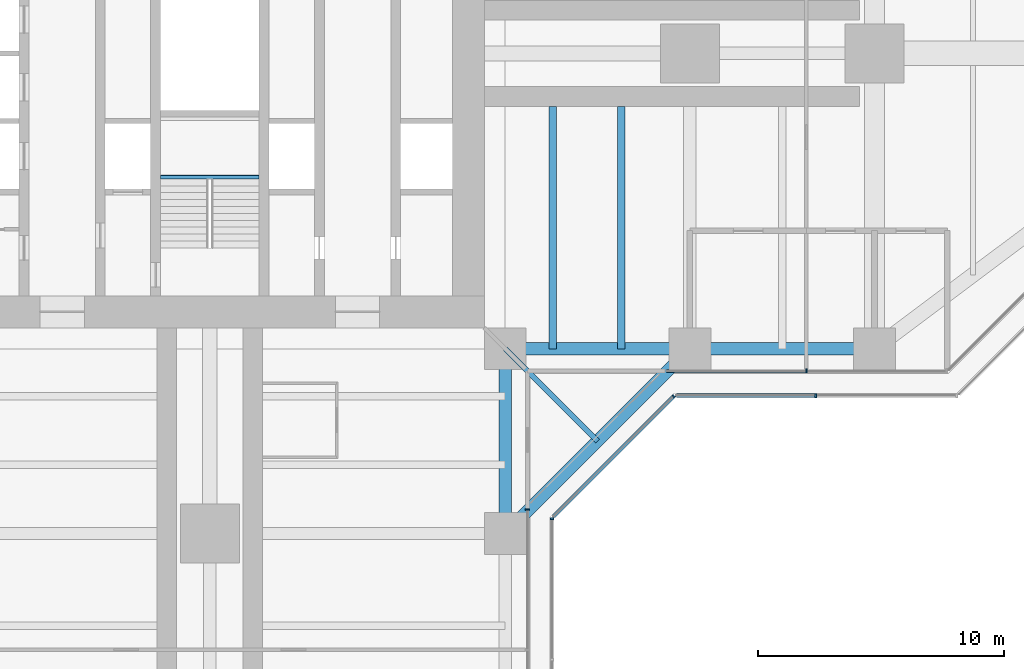
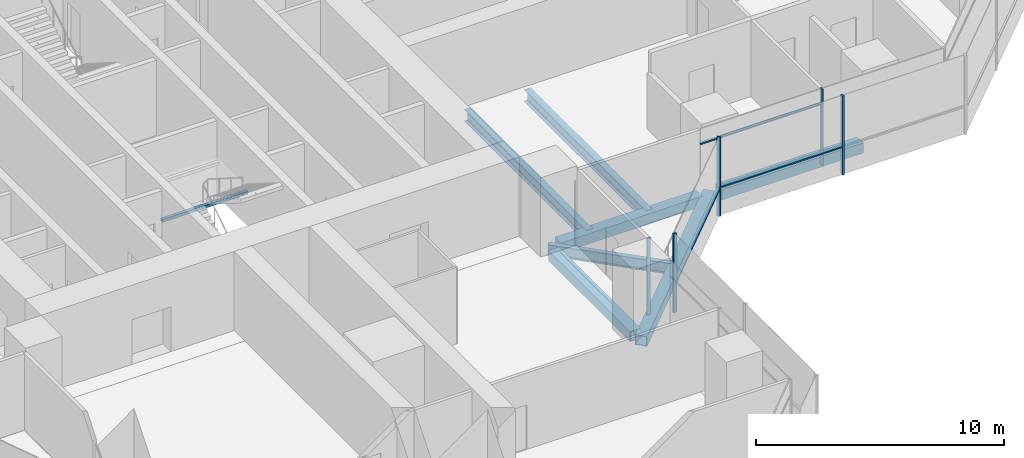
# One storey, part 6 of 22: 8 beams, 8 members, 5 elements without a shape of their own.
"""IFC4 building model written with IfcOpenShell, lengths in metres."""

from ifc_helpers import new_model, si_unit, direction, frame, origin, origin_2d, place, context, subcontext, project, spatial, rectangle, hollow_rectangle, i_section, extrude, material, material_profile, profile_set, type_object, element, aggregate, save


model = new_model("IFC4")

# Units and contexts
model_context = context("Model", 3, precision=1e-05, world=origin(), true_north=direction((0.0, 1.0)))
body_context = subcontext(model_context, "Body", "Model", "MODEL_VIEW")
ifc_project = project(units=[si_unit("LENGTHUNIT", "METRE"), si_unit("AREAUNIT", "SQUARE_METRE"), si_unit("VOLUMEUNIT", "CUBIC_METRE"), si_unit("PLANEANGLEUNIT", "RADIAN"), si_unit("MASSUNIT", "GRAM", prefix="KILO")], contexts=[model_context])

# Site, building, storey
site_placement = place(None, origin())
site = spatial("IfcSite", under=ifc_project, at=site_placement, CompositionType="ELEMENT")
building_placement = place(site_placement, origin())
building = spatial("IfcBuilding", under=site, at=building_placement, Name="Mizan Broadcast Tower", CompositionType="ELEMENT")
storey_placement = place(building_placement, frame((0.0, 0.0, 86.39990234375)))
storey = spatial("IfcBuildingStorey", under=building, at=storey_placement, Name="L18", CompositionType="ELEMENT", Elevation=86.39990234375)

# Beams
ifc_material_1 = material(Name="Steel S355", Category="steel")
ifc_material_profile_1 = material_profile(ifc_material_1, hollow_rectangle(XDim=0.5, YDim=0.5, WallThickness=0.030029296875, at=origin_2d()), Name="BOX 500x500x30")
ifc_profile_set_1 = profile_set([ifc_material_profile_1], Name="Steel S355")
beam_type_1 = type_object("IfcBeamType", Name="EDGE BEAM BOX 500x500x30", PredefinedType="SPANDREL", material=ifc_profile_set_1)
for number, where, z_axis, x_axis, name in (
    (1, (12.449951171875, -12.0, -0.3798828125), (1.0, 0.0, 0.0), (0.0, 1.0, 0.0), "Edge beam BOX 500x500x30 L18 east arm"),
    (2, (19.949951171875, -12.0, -0.3798828125), (1.0, 0.0, 0.0), (0.0, 1.0, 0.0), "Edge beam BOX 500x500x30 L18 east arm"),
    (3, (12.0, -12.449951171875, -0.3798828125), (0.0, -1.0, 0.0), (1.0, 0.0, 0.0), "Edge beam BOX 500x500x30 L18 south arm"),
):
    element("IfcBeam", number, at=place(storey_placement, frame(where, z_axis=z_axis, x_axis=x_axis)), inside=storey, type_object=beam_type_1, Name=name, PredefinedType="SPANDREL", context=body_context, shape_type="SweptSolid", body=[
        extrude(hollow_rectangle(XDim=0.5, YDim=0.5, WallThickness=0.030029296875, at=origin_2d()), origin(), (0.0, 0.0, 1.0), 6.60009765625),
    ])
beam_1_placement = place(storey_placement, frame((12.0, -19.5, -0.3798828125), z_axis=(0.707106781187, 0.707106781187, 0.0), x_axis=(-0.707106781187, 0.707106781187, 0.0)))
element("IfcBeam", 4, at=beam_1_placement, inside=storey, type_object=beam_type_1, Name="Winter garden edge beam L18 S", PredefinedType="SPANDREL", context=body_context, shape_type="SweptSolid", body=[
    extrude(hollow_rectangle(XDim=0.5, YDim=0.5, WallThickness=0.030029296875, at=origin_2d()), origin(), (0.0, 0.0, 1.0), 10.606689453125),
])

# Curtain wall, member
ifc_material_2 = material(Name="Aluminium framed glazing", Category="aluminium")
curtain_wall_type_1 = type_object("IfcCurtainWallType", Name="INNER SKIN LOW ZONE", PredefinedType="USERDEFINED", material=ifc_material_2)
curtain_wall_1_placement = place(storey_placement, origin())
curtain_wall_1 = element("IfcCurtainWall", 5, at=curtain_wall_1_placement, inside=storey, type_object=curtain_wall_type_1, Name="Inner skin low zone L18 E side", ObjectType="INNER SKIN LOW ZONE", PredefinedType="USERDEFINED")
ifc_material_3 = material(Name="Aluminium, pale anodised", Category="aluminium")
ifc_material_profile_2 = material_profile(ifc_material_3, rectangle(XDim=0.159912109375, YDim=0.06005859375, at=origin_2d()), Name="MULLION 160x60")
ifc_profile_set_2 = profile_set([ifc_material_profile_2], Name="Aluminium, pale anodised")
member_type_1 = type_object("IfcMemberType", Name="INNER SKIN MULLION 60x160", PredefinedType="MULLION", material=ifc_profile_set_2)
member_1_placement = place(storey_placement, frame((24.229248046875, -12.89990234375, 0.0), z_axis=(0.0, 0.0, 1.0), x_axis=(0.0, 1.0, 0.0)))
member_1 = element("IfcMember", 6, at=member_1_placement, type_object=member_type_1, Name="Inner skin low zone L18 E side mullion 2", PredefinedType="MULLION", context=body_context, shape_type="SweptSolid", body=[
    extrude(rectangle(XDim=0.159912109375, YDim=0.06005859375, at=origin_2d()), origin(), (0.0, 0.0, 1.0), 3.77001953125),
])

curtain_wall_2_placement = place(storey_placement, origin())
curtain_wall_2 = element("IfcCurtainWall", 7, at=curtain_wall_2_placement, inside=storey, type_object=curtain_wall_type_1, Name="Inner skin low zone L18 S side", ObjectType="INNER SKIN LOW ZONE", PredefinedType="USERDEFINED")
member_2_placement = place(storey_placement, frame((12.89990234375, -18.530029296875, 0.0), z_axis=(0.0, 0.0, 1.0), x_axis=(-1.0, 0.0, 0.0)))
member_2 = element("IfcMember", 8, at=member_2_placement, type_object=member_type_1, Name="Inner skin low zone L18 S side mullion 3", PredefinedType="MULLION", context=body_context, shape_type="SweptSolid", body=[
    extrude(rectangle(XDim=0.159912109375, YDim=0.06005859375, at=origin_2d()), origin(), (0.0, 0.0, 1.0), 3.77001953125),
])
aggregate(curtain_wall_2, [member_2])

# Member
ifc_material_4 = material(Name="Aluminium, pale anodised", Category="aluminium")
ifc_material_profile_3 = material_profile(ifc_material_4, rectangle(XDim=0.1201171875, YDim=0.06005859375, at=origin_2d()), Name="TRANSOM 120x60")
ifc_profile_set_3 = profile_set([ifc_material_profile_3], Name="Aluminium, pale anodised")
member_type_2 = type_object("IfcMemberType", Name="INNER SKIN TRANSOM 60x120", PredefinedType="USERDEFINED", material=ifc_profile_set_3)
member_3_placement = place(storey_placement, frame((18.56005859375, -12.89990234375, 3.030029296875), z_axis=(1.0, 0.0, 0.0), x_axis=(0.0, 1.0, 0.0)))
member_3 = element("IfcMember", 9, at=member_3_placement, type_object=member_type_2, Name="Inner skin low zone L18 E side transom 1.1", ObjectType="TRANSOM", PredefinedType="USERDEFINED", context=body_context, shape_type="SweptSolid", body=[
    extrude(rectangle(XDim=0.1201171875, YDim=0.06005859375, at=origin_2d()), origin(), (0.0, 0.0, 1.0), 5.63916015625),
])

aggregate(curtain_wall_1, [member_1, member_3])

# Beam
ifc_material_5 = material(Name="Steel S355", Category="steel")
ifc_material_profile_4 = material_profile(ifc_material_5, hollow_rectangle(XDim=0.14990234375, YDim=0.14990234375, WallThickness=0.008056640625, InnerFilletRadius=0.008056640625, OuterFilletRadius=0.011962890625, at=origin_2d()), Name="SHS 150x150x8")
ifc_profile_set_4 = profile_set([ifc_material_profile_4], Name="Steel S355")
beam_type_2 = type_object("IfcBeamType", Name="LANDING TRIMMER SHS 150x150x8", PredefinedType="BEAM", material=ifc_profile_set_4)
beam_2_placement = place(storey_placement, frame((-2.0, -5.02490234375, 1.675048828125), z_axis=(1.0, 0.0, 0.0), x_axis=(0.0, 1.0, 0.0)))
element("IfcBeam", 10, at=beam_2_placement, inside=storey, type_object=beam_type_2, Name="Stair A landing trimmer L18", PredefinedType="BEAM", context=body_context, shape_type="SweptSolid", body=[
    extrude(hollow_rectangle(XDim=0.14990234375, YDim=0.14990234375, WallThickness=0.008056640625, InnerFilletRadius=0.008056640625, OuterFilletRadius=0.011962890625, at=origin_2d()), origin(), (0.0, 0.0, 1.0), 4.0),
])

# Curtain wall, member
ifc_material_6 = material(Name="Aluminium framed glazing", Category="aluminium")
curtain_wall_type_2 = type_object("IfcCurtainWallType", Name="OUTER SKIN", PredefinedType="USERDEFINED", material=ifc_material_6)
curtain_wall_3_placement = place(storey_placement, origin())
curtain_wall_3 = element("IfcCurtainWall", 11, at=curtain_wall_3_placement, inside=storey, type_object=curtain_wall_type_2, Name="Outer skin L18 S side", ObjectType="OUTER SKIN", PredefinedType="USERDEFINED")
ifc_material_7 = material(Name="Aluminium, pale anodised", Category="aluminium")
ifc_material_profile_5 = material_profile(ifc_material_7, rectangle(XDim=0.159912109375, YDim=0.080078125, at=origin_2d()), Name="MULLION 160x80")
ifc_profile_set_5 = profile_set([ifc_material_profile_5], Name="Aluminium, pale anodised")
member_type_3 = type_object("IfcMemberType", Name="OUTER SKIN MULLION 80x160", PredefinedType="MULLION", material=ifc_profile_set_5)
member_4_placement = place(storey_placement, frame((13.89990234375, -18.912841796875, 0.0), z_axis=(0.0, 0.0, 1.0), x_axis=(-1.0, 0.0, 0.0)))
member_4 = element("IfcMember", 12, at=member_4_placement, type_object=member_type_3, Name="Outer skin L18 S side mullion 3", PredefinedType="MULLION", context=body_context, shape_type="SweptSolid", body=[
    extrude(rectangle(XDim=0.159912109375, YDim=0.080078125, at=origin_2d()), origin(), (0.0, 0.0, 1.0), 3.900146484375),
])
aggregate(curtain_wall_3, [member_4])

curtain_wall_4_placement = place(storey_placement, origin())
curtain_wall_4 = element("IfcCurtainWall", 13, at=curtain_wall_4_placement, inside=storey, type_object=curtain_wall_type_2, Name="Outer skin L18 E chamfer", ObjectType="OUTER SKIN", PredefinedType="USERDEFINED")
member_5_placement = place(storey_placement, frame((18.844482421875, -13.92822265625, 0.0), z_axis=(0.0, 0.0, 1.0), x_axis=(-0.707106781187, 0.707106781187, 0.0)))
member_5 = element("IfcMember", 14, at=member_5_placement, type_object=member_type_3, Name="Outer skin L18 E chamfer mullion 2", PredefinedType="MULLION", context=body_context, shape_type="SweptSolid", body=[
    extrude(rectangle(XDim=0.159912109375, YDim=0.080078125, at=origin_2d()), origin(), (0.0, 0.0, 1.0), 3.900146484375),
])

curtain_wall_5_placement = place(storey_placement, origin())
curtain_wall_5 = element("IfcCurtainWall", 15, at=curtain_wall_5_placement, inside=storey, type_object=curtain_wall_type_2, Name="Outer skin L18 E side", ObjectType="OUTER SKIN", PredefinedType="USERDEFINED")
member_6_placement = place(storey_placement, frame((24.622802734375, -13.89990234375, 0.0), z_axis=(0.0, 0.0, 1.0), x_axis=(0.0, 1.0, 0.0)))
member_6 = element("IfcMember", 16, at=member_6_placement, type_object=member_type_3, Name="Outer skin L18 E side mullion 2", PredefinedType="MULLION", context=body_context, shape_type="SweptSolid", body=[
    extrude(rectangle(XDim=0.159912109375, YDim=0.080078125, at=origin_2d()), origin(), (0.0, 0.0, 1.0), 3.900146484375),
])

# Member
ifc_material_8 = material(Name="Aluminium, pale anodised", Category="aluminium")
ifc_material_profile_6 = material_profile(ifc_material_8, rectangle(XDim=0.159912109375, YDim=0.06005859375, at=origin_2d()), Name="TRANSOM 160x60")
ifc_profile_set_6 = profile_set([ifc_material_profile_6], Name="Aluminium, pale anodised")
member_type_4 = type_object("IfcMemberType", Name="OUTER SKIN TRANSOM 60x160", PredefinedType="USERDEFINED", material=ifc_profile_set_6)
member_7_placement = place(storey_placement, frame((13.95654296875, -18.816162109375, 1.400146484375), z_axis=(0.707106781187, 0.707106781187, 0.0), x_axis=(-0.707106781187, 0.707106781187, 0.0)))
member_7 = element("IfcMember", 17, at=member_7_placement, type_object=member_type_4, Name="Outer skin L18 E chamfer transom 1.1", ObjectType="TRANSOM", PredefinedType="USERDEFINED", context=body_context, shape_type="SweptSolid", body=[
    extrude(rectangle(XDim=0.159912109375, YDim=0.06005859375, at=origin_2d()), origin(), (0.0, 0.0, 1.0), 6.87255859375),
])

aggregate(curtain_wall_4, [member_5, member_7])

member_8_placement = place(storey_placement, frame((18.952880859375, -13.89990234375, 1.400146484375), z_axis=(1.0, 0.0, 0.0), x_axis=(0.0, 1.0, 0.0)))
member_8 = element("IfcMember", 18, at=member_8_placement, type_object=member_type_4, Name="Outer skin L18 E side transom 1.1", ObjectType="TRANSOM", PredefinedType="USERDEFINED", context=body_context, shape_type="SweptSolid", body=[
    extrude(rectangle(XDim=0.159912109375, YDim=0.06005859375, at=origin_2d()), origin(), (0.0, 0.0, 1.0), 5.6298828125),
])

aggregate(curtain_wall_5, [member_6, member_8])

# Beams
ifc_material_9 = material(Name="Steel S355", Category="steel")
ifc_material_profile_7 = material_profile(ifc_material_9, i_section(OverallWidth=0.300048828125, OverallDepth=0.590087890625, WebThickness=0.012939453125, FlangeThickness=0.02490234375, FilletRadius=0.027099609375, at=origin_2d()), Name="HEA 600")
ifc_profile_set_7 = profile_set([ifc_material_profile_7], Name="Steel S355")
beam_type_3 = type_object("IfcBeamType", Name="SECONDARY BEAM HEA 600", PredefinedType="JOIST", material=ifc_profile_set_7)
for number, where, z_axis, x_axis, name in (
    (19, (13.933349609375, -12.0, -0.4248046875), (0.0, 1.0, 0.0), (-1.0, 0.0, 0.0), "Secondary beam HEA 600 L18 east arm"),
    (20, (16.716552734375, -12.0, -0.4248046875), (0.0, 1.0, 0.0), (-1.0, 0.0, 0.0), "Secondary beam HEA 600 L18 east arm"),
):
    element("IfcBeam", number, at=place(storey_placement, frame(where, z_axis=z_axis, x_axis=x_axis)), inside=storey, type_object=beam_type_3, Name=name, PredefinedType="JOIST", context=body_context, shape_type="SweptSolid", body=[
        extrude(i_section(OverallWidth=0.300048828125, OverallDepth=0.590087890625, WebThickness=0.012939453125, FlangeThickness=0.02490234375, FilletRadius=0.027099609375, at=origin_2d()), origin(), (0.0, 0.0, 1.0), 9.85009765625),
    ])
ifc_material_10 = material(Name="Steel S355", Category="steel")
ifc_material_profile_8 = material_profile(ifc_material_10, i_section(OverallWidth=0.2099609375, OverallDepth=0.550048828125, WebThickness=0.010986328125, FlangeThickness=0.01708984375, FilletRadius=0.02392578125, at=origin_2d()), Name="IPE 550")
ifc_profile_set_8 = profile_set([ifc_material_profile_8], Name="Steel S355")
beam_type_4 = type_object("IfcBeamType", Name="SECONDARY BEAM IPE 550", PredefinedType="JOIST", material=ifc_profile_set_8)
beam_3_placement = place(storey_placement, frame((12.0, -12.0, -0.40478515625), z_axis=(0.707106781187, -0.707106781187, 0.0), x_axis=(0.707106781187, 0.707106781187, 0.0)))
element("IfcBeam", 21, at=beam_3_placement, inside=storey, type_object=beam_type_4, Name="Winter garden beam L18 S", PredefinedType="JOIST", context=body_context, shape_type="SweptSolid", body=[
    extrude(i_section(OverallWidth=0.2099609375, OverallDepth=0.550048828125, WebThickness=0.010986328125, FlangeThickness=0.01708984375, FilletRadius=0.02392578125, at=origin_2d()), origin(), (0.0, 0.0, 1.0), 5.30322265625),
])

save(model, "model.ifc")
